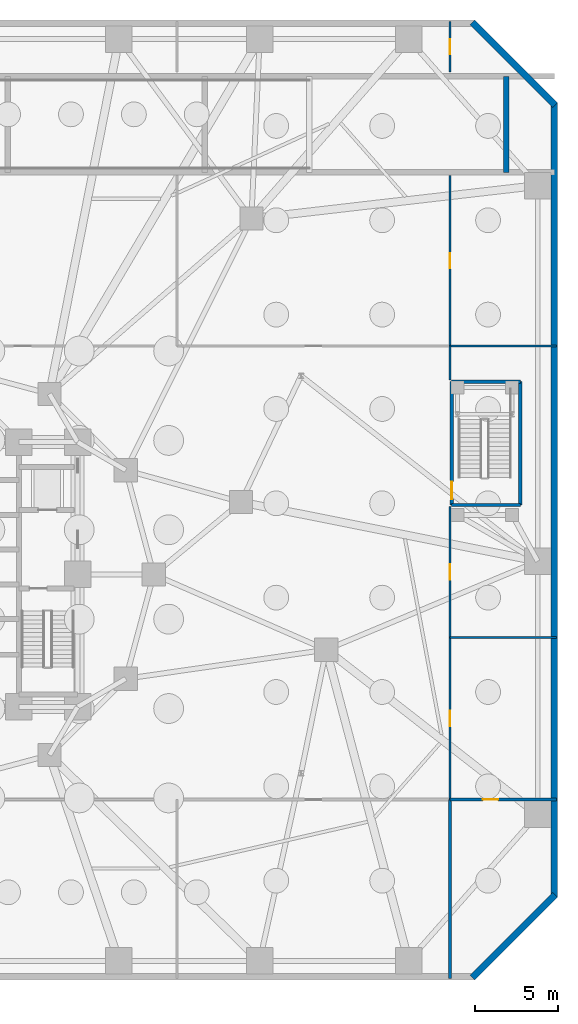
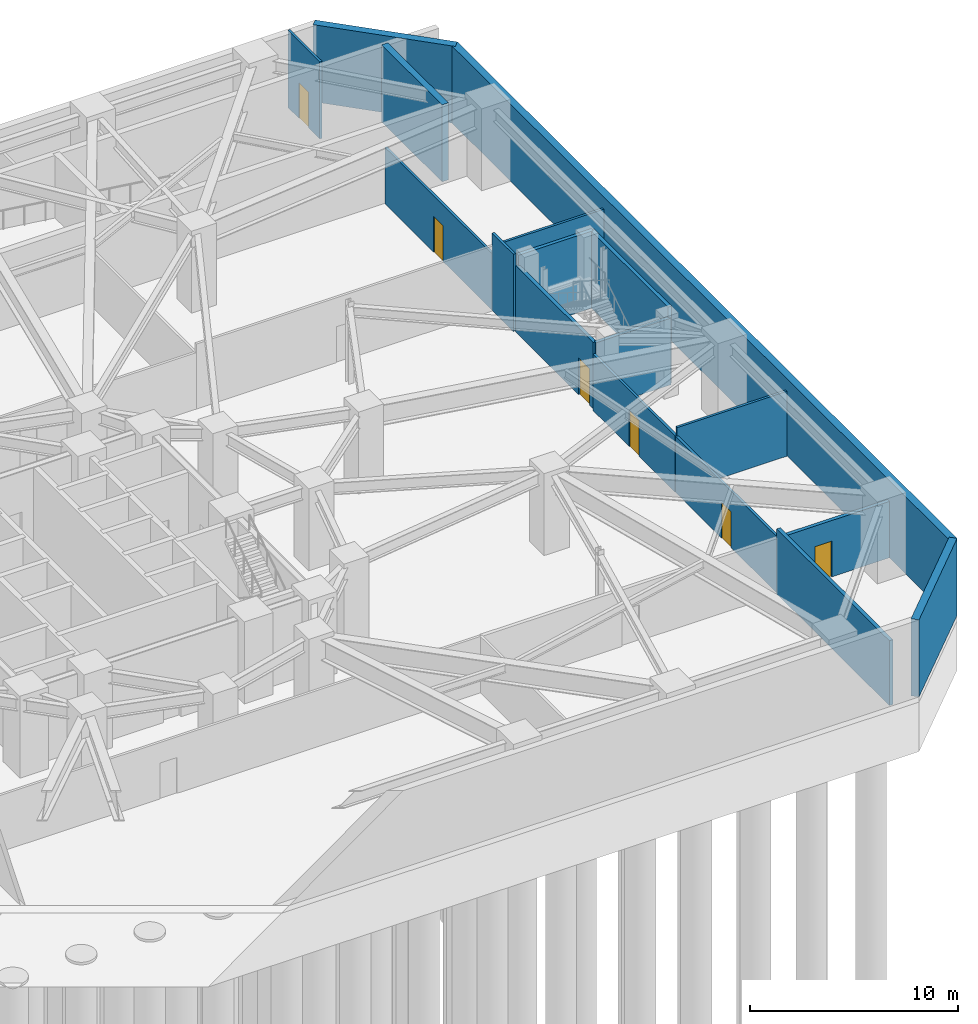
# One storey, part 15 of 20: 17 walls, 6 doors, 6 openings.
"""IFC4 building model written with IfcOpenShell, lengths in metres."""

import ifcopenshell
import ifcopenshell.guid

model = None  # the IFC model being written
_history = None  # IfcOwnerHistory: only IFC2X3 demands one
_inside = {}  # id of a spatial element -> (the spatial element, [elements in it])
_under = {}  # id of a project, library or spatial element -> (it, [spatial elements below it])
_declared = {}  # id of a project -> (the project, [libraries it declares])
_typed = {}  # id of a type object -> (the type object, [elements of that type])
_made_of = {}  # id of a material, layer set ... -> (it, [elements and type objects made of it])


def new_model(schema):
    """Start an empty IFC model of exactly this schema.

    Asked for "IFC4X3", IfcOpenShell would pick the latest addendum, in which some entities
    have other attributes; the version numbers below select the first issue.
    IFC2X3 requires an IfcOwnerHistory on every rooted entity: one is made here for all.
    """
    global model, _history
    if schema == "IFC4X3":
        model = ifcopenshell.file(schema_version=(4, 3, 0, 0))
    else:
        model = ifcopenshell.file(schema=schema)
    _inside.clear()
    _under.clear()
    _declared.clear()
    _typed.clear()
    _made_of.clear()
    _history = None
    if model.schema == "IFC2X3":
        org = make("IfcOrganization", Name="unknown")
        user = make(
            "IfcPersonAndOrganization",
            ThePerson=make("IfcPerson", FamilyName="unknown"),
            TheOrganization=org,
        )
        app = make(
            "IfcApplication",
            ApplicationDeveloper=org,
            Version="unknown",
            ApplicationFullName="unknown",
            ApplicationIdentifier="unknown",
        )
        _history = make(
            "IfcOwnerHistory",
            OwningUser=user,
            OwningApplication=app,
            ChangeAction="ADDED",
            CreationDate=0,
        )
    return model


def make(cls, **values):
    """One entity of the class cls with the attributes given. An attribute that is None is left unset."""
    return model.create_entity(
        cls, **{name: value for name, value in values.items() if value is not None}
    )


def rooted(cls, **values):
    """An entity with a GlobalId (a new one), such as an element, a storey or a relation."""
    return make(cls, GlobalId=ifcopenshell.guid.new(), OwnerHistory=_history, **values)


def si_unit(unit_type, name, prefix=None):
    """IfcSIUnit, for example si_unit("LENGTHUNIT", "METRE", prefix="MILLI")."""
    return make("IfcSIUnit", UnitType=unit_type, Prefix=prefix, Name=name)


def assignment(units):
    """IfcUnitAssignment: the units of a project."""
    return None if units is None else make("IfcUnitAssignment", Units=units)


def point(xyz):
    """IfcCartesianPoint."""
    return None if xyz is None else make("IfcCartesianPoint", Coordinates=xyz)


def direction(xyz):
    """IfcDirection."""
    return None if xyz is None else make("IfcDirection", DirectionRatios=xyz)


def frame(location, z_axis=None, x_axis=None):
    """IfcAxis2Placement3D, a coordinate frame: its origin and axes. An axis left out is left unset."""
    return make(
        "IfcAxis2Placement3D",
        Location=point(location),
        Axis=direction(z_axis),
        RefDirection=direction(x_axis),
    )


def frame_2d(location, x_axis=None):
    """IfcAxis2Placement2D, a coordinate frame in the plane: its origin and x axis."""
    return make(
        "IfcAxis2Placement2D", Location=point(location), RefDirection=direction(x_axis)
    )


def origin():
    """The frame at (0, 0, 0) with its axes left unset."""
    return frame((0.0, 0.0, 0.0))


def place(relative_to, where):
    """IfcLocalPlacement: puts the frame where relative to a parent placement (None: the world)."""
    return make(
        "IfcLocalPlacement", PlacementRelTo=relative_to, RelativePlacement=where
    )


def context(
    kind, dimensions, precision=None, world=None, true_north=None, identifier=None
):
    """IfcGeometricRepresentationContext, for example the 3D "Model" context."""
    return make(
        "IfcGeometricRepresentationContext",
        ContextIdentifier=identifier,
        ContextType=kind,
        CoordinateSpaceDimension=dimensions,
        Precision=precision,
        WorldCoordinateSystem=world,
        TrueNorth=true_north,
    )


def subcontext(parent, identifier, kind, view, scale=None):
    """IfcGeometricRepresentationSubContext, for example "Body" below "Model"."""
    return make(
        "IfcGeometricRepresentationSubContext",
        ContextIdentifier=identifier,
        ContextType=kind,
        ParentContext=parent,
        TargetScale=scale,
        TargetView=view,
    )


def project(units=None, contexts=None):
    """IfcProject with its units and contexts."""
    return rooted(
        "IfcProject",
        Name="project",
        RepresentationContexts=contexts,
        UnitsInContext=assignment(units),
    )


def spatial(cls, under=None, at=None, **own):
    """A site, building, storey or space (cls), placed at a placement, below another one or the project."""
    s = rooted(cls, ObjectPlacement=at, **own)
    if under is not None:
        _under.setdefault(under.id(), (under, []))[1].append(s)
    return s


def profile(cls, at=None, kind="AREA", **sizes):
    """A parametric profile (cls). Its sizes go by their IFC names, for example OverallWidth=200.0."""
    return make(cls, ProfileType=kind, Position=at, **sizes)


def rectangle(**sizes):
    """IfcRectangleProfileDef."""
    return profile("IfcRectangleProfileDef", **sizes)


def extrude(swept, where, along, depth):
    """IfcExtrudedAreaSolid: the profile swept, set in the frame where, extruded along a direction by depth."""
    return make(
        "IfcExtrudedAreaSolid",
        SweptArea=swept,
        Position=where,
        ExtrudedDirection=direction(along),
        Depth=depth,
    )


def shape(context_of_items, identifier, shape_type, items):
    """IfcShapeRepresentation: the items that make up one representation, for example the "Body"."""
    return make(
        "IfcShapeRepresentation",
        ContextOfItems=context_of_items,
        RepresentationIdentifier=identifier,
        RepresentationType=shape_type,
        Items=items,
    )


def material(Name=None, Category=None):
    """IfcMaterial."""
    return make("IfcMaterial", Name=Name, Category=Category)


def layer(
    of_material, thickness, ventilated=None, Name=None, Category=None, Priority=None
):
    """IfcMaterialLayer: one layer of a wall or slab, of a material (None: an air gap)."""
    return make(
        "IfcMaterialLayer",
        Material=of_material,
        LayerThickness=thickness,
        IsVentilated=ventilated,
        Name=Name,
        Category=Category,
        Priority=Priority,
    )


def layer_set(layers, Name=None):
    """IfcMaterialLayerSet."""
    return make("IfcMaterialLayerSet", MaterialLayers=layers, LayerSetName=Name)


def made_of(thing, what):
    """Note that an element or type object is made of a material, layer set ...; save() writes the relation."""
    if what is not None:
        _made_of.setdefault(what.id(), (what, []))[1].append(thing)
    return thing


def type_object(cls, material=None, **own):
    """A type object (cls), such as IfcWallType, which elements share."""
    return made_of(rooted(cls, **own), material)


def element(
    cls,
    number,
    at=None,
    inside=None,
    cuts=None,
    type_object=None,
    material=None,
    context=None,
    identifier="Body",
    shape_type=None,
    held_by="IfcProductDefinitionShape",
    body=None,
    shapes=None,
    **own,
):
    """One element of the class cls, such as IfcWall. Its Tag is "e" and its number.

    at: its placement. inside: the storey or other place that contains it. cuts: it is an
    opening in that element (IfcRelVoidsElement). A single representation is given by context,
    identifier, shape_type and body (its items); several are given by shapes. held_by: the class
    of the entity that holds the representations. save() writes the other relations.
    """
    e = rooted(cls, Tag="e%d" % number, ObjectPlacement=at, **own)
    if body is not None:
        shapes = [shape(context, identifier, shape_type, body)]
    if shapes is not None:
        e.Representation = make(held_by, Representations=shapes)
    if inside is not None:
        _inside.setdefault(inside.id(), (inside, []))[1].append(e)
    if cuts is not None:
        rooted(
            "IfcRelVoidsElement", RelatingBuildingElement=cuts, RelatedOpeningElement=e
        )
    if type_object is not None:
        _typed.setdefault(type_object.id(), (type_object, []))[1].append(e)
    return made_of(e, material)


def fill(opening, filler):
    """IfcRelFillsElement: the door or window that sits in an opening."""
    return rooted(
        "IfcRelFillsElement",
        RelatingOpeningElement=opening,
        RelatedBuildingElement=filler,
    )


def aggregate(whole, parts):
    """IfcRelAggregates: a whole, such as a stair, and the parts it consists of."""
    return rooted("IfcRelAggregates", RelatingObject=whole, RelatedObjects=parts)


def save(model, path):
    """Write the relations noted so far, then the file.

    IfcRelAggregates (storeys below a building ...), IfcRelContainedInSpatialStructure (elements
    in a storey), IfcRelDefinesByType, IfcRelAssociatesMaterial and IfcRelDeclares: one each for
    every whole, place, type object, material and project.
    """
    for whole, parts in _under.values():
        aggregate(whole, parts)
    for where, things in _inside.values():
        rooted(
            "IfcRelContainedInSpatialStructure",
            RelatedElements=things,
            RelatingStructure=where,
        )
    for kind, things in _typed.values():
        rooted("IfcRelDefinesByType", RelatedObjects=things, RelatingType=kind)
    for what, things in _made_of.values():
        rooted("IfcRelAssociatesMaterial", RelatedObjects=things, RelatingMaterial=what)
    for by, libraries in _declared.values():
        rooted("IfcRelDeclares", RelatingContext=by, RelatedDefinitions=libraries)
    model.write(path)


model = new_model("IFC4")

# Units and contexts
model_context = context("Model", 3, precision=1e-05, world=origin(), true_north=direction((0.0, 1.0)))
body_context = subcontext(model_context, "Body", "Model", "MODEL_VIEW")
ifc_project = project(units=[si_unit("LENGTHUNIT", "METRE"), si_unit("AREAUNIT", "SQUARE_METRE"), si_unit("VOLUMEUNIT", "CUBIC_METRE"), si_unit("PLANEANGLEUNIT", "RADIAN"), si_unit("MASSUNIT", "GRAM", prefix="KILO")], contexts=[model_context])

# Site, building, storey
site_placement = place(None, origin())
site = spatial("IfcSite", under=ifc_project, at=site_placement, CompositionType="ELEMENT")
building_placement = place(site_placement, origin())
building = spatial("IfcBuilding", under=site, at=building_placement, Name="Terralouvre Media Tower", CompositionType="ELEMENT")
storey_placement = place(building_placement, frame((0.0, 0.0, -9.60009765625)))
storey = spatial("IfcBuildingStorey", under=building, at=storey_placement, Name="B02", CompositionType="ELEMENT", Elevation=-9.60009765625)

# Walls
ifc_material_1 = material(Name="Concrete C50/60", Category="concrete")
ifc_layer_1 = layer(ifc_material_1, 0.39990234375, Name="Basement Perimeter Retaining Wall EW-RC400")
ifc_layer_set_1 = layer_set([ifc_layer_1], Name="Concrete C50/60")
wall_type_1 = type_object("IfcWallType", Name="Basement Perimeter Retaining Wall EW-RC400", PredefinedType="USERDEFINED", material=ifc_layer_set_1)
wall_1_placement = place(storey_placement, frame((31.858642578125, -24.358642578125, 0.0), z_axis=(0.0, 0.0, 1.0), x_axis=(0.707106781187, 0.707106781187, 0.0)))
element("IfcWall", 1, at=wall_1_placement, inside=storey, type_object=wall_type_1, Name="B02 Perimeter Retaining Wall 02", ObjectType="RETAINING", PredefinedType="USERDEFINED", context=body_context, shape_type="SweptSolid", body=[
    extrude(rectangle(XDim=7.071044921875, YDim=0.39990234375, at=frame_2d((3.53564453125, 0.0))), origin(), (0.0, 0.0, 1.0), 4.52001953125),
])
wall_2_placement = place(storey_placement, frame((36.800048828125, -19.5, 0.0), z_axis=(0.0, 0.0, 1.0), x_axis=(0.0, 1.0, 0.0)))
element("IfcWall", 2, at=wall_2_placement, inside=storey, type_object=wall_type_1, Name="B02 Perimeter Retaining Wall 03", ObjectType="RETAINING", PredefinedType="USERDEFINED", context=body_context, shape_type="SweptSolid", body=[
    extrude(rectangle(XDim=48.0, YDim=0.39990234375, at=frame_2d((24.0, 0.0))), origin(), (0.0, 0.0, 1.0), 4.52001953125),
])
wall_3_placement = place(storey_placement, frame((36.858642578125, 28.358642578125, 0.0), z_axis=(0.0, 0.0, 1.0), x_axis=(-0.707106781187, 0.707106781187, 0.0)))
element("IfcWall", 3, at=wall_3_placement, inside=storey, type_object=wall_type_1, Name="B02 Perimeter Retaining Wall 04", ObjectType="RETAINING", PredefinedType="USERDEFINED", context=body_context, shape_type="SweptSolid", body=[
    extrude(rectangle(XDim=7.071044921875, YDim=0.39990234375, at=frame_2d((3.53564453125, 0.0))), origin(), (0.0, 0.0, 1.0), 4.52001953125),
])
ifc_material_2 = material(Name="Fire-rated gypsum board drywall partition")
ifc_layer_2 = layer(ifc_material_2, 0.199951171875, Name="Fire-Rated Shaft and Lobby Partition FW-200")
ifc_layer_set_2 = layer_set([ifc_layer_2], Name="Fire-rated gypsum board drywall partition")
wall_type_2 = type_object("IfcWallType", Name="Fire-Rated Shaft and Lobby Partition FW-200", PredefinedType="SOLIDWALL", material=ifc_layer_set_2)
wall_4_placement = place(storey_placement, frame((30.60009765625, 4.199951171875, 0.0), z_axis=(0.0, 0.0, 1.0), x_axis=(1.0, 0.0, 0.0)))
element("IfcWall", 4, at=wall_4_placement, inside=storey, type_object=wall_type_2, Name="B02 ST04 Stair Shaft Wall S", PredefinedType="SOLIDWALL", context=body_context, shape_type="SweptSolid", body=[
    extrude(rectangle(XDim=4.14990234375, YDim=0.199951171875, at=frame_2d((2.074951171875, 0.0))), origin(), (0.0, 0.0, 1.0), 3.905029296875),
])
wall_5_placement = place(storey_placement, frame((34.75, 4.199951171875, 0.0), z_axis=(0.0, 0.0, 1.0), x_axis=(0.0, 1.0, 0.0)))
element("IfcWall", 5, at=wall_5_placement, inside=storey, type_object=wall_type_2, Name="B02 ST04 Stair Shaft Wall E", PredefinedType="SOLIDWALL", context=body_context, shape_type="SweptSolid", body=[
    extrude(rectangle(XDim=7.449951171875, YDim=0.199951171875, at=frame_2d((3.72509765625, 0.0))), origin(), (0.0, 0.0, 1.0), 4.52001953125),
])
wall_6_placement = place(storey_placement, frame((34.75, 11.64990234375, 0.0), z_axis=(0.0, 0.0, 1.0), x_axis=(-1.0, 0.0, 0.0)))
element("IfcWall", 6, at=wall_6_placement, inside=storey, type_object=wall_type_2, Name="B02 ST04 Stair Shaft Wall N", PredefinedType="SOLIDWALL", context=body_context, shape_type="SweptSolid", body=[
    extrude(rectangle(XDim=4.14990234375, YDim=0.199951171875, at=frame_2d((2.074951171875, 0.0))), origin(), (0.0, 0.0, 1.0), 4.52001953125),
])

# Wall, opening, door
wall_7_placement = place(storey_placement, frame((30.60009765625, 11.64990234375, 0.0), z_axis=(0.0, 0.0, 1.0), x_axis=(0.0, -1.0, 0.0)))
wall_7 = element("IfcWall", 7, at=wall_7_placement, inside=storey, type_object=wall_type_2, Name="B02 ST04 Stair Shaft Wall W", PredefinedType="SOLIDWALL", context=body_context, shape_type="SweptSolid", body=[
    extrude(rectangle(XDim=7.449951171875, YDim=0.199951171875, at=frame_2d((3.72509765625, 0.0))), origin(), (0.0, 0.0, 1.0), 3.905029296875),
])
opening_1_placement = place(wall_7_placement, frame((6.0400390625, 0.0, 0.0)))
opening_1 = element("IfcOpeningElement", 8, at=opening_1_placement, cuts=wall_7, Name="Opening FD-01-105X215", PredefinedType="OPENING", context=body_context, shape_type="SweptSolid", body=[
    extrude(rectangle(XDim=1.050048828125, YDim=2.14990234375, at=frame_2d((0.52490234375, 1.074951171875))), frame((0.0, 0.10986328125, 0.0), z_axis=(0.0, -1.0, 0.0), x_axis=(1.0, 0.0, 0.0)), (0.0, 0.0, 1.0), 0.219970703125),
])
ifc_material_3 = material(Name="Galvanised steel fire-resisting leaf", Category="steel")
door_type_1 = type_object("IfcDoorType", Name="Stair and Firefighting Lobby Fire Door FD-01 (1050x2150)", OperationType="NOTDEFINED", PredefinedType="DOOR", material=ifc_material_3)
door_1_placement = place(opening_1_placement, origin())
door_1 = element("IfcDoor", 9, at=door_1_placement, inside=storey, type_object=door_type_1, Name="B02 ST04 Pressurised Stair Door", OperationType="SINGLE_SWING_LEFT", OverallHeight=2.14990234375, OverallWidth=1.050048828125, PredefinedType="DOOR", context=body_context, shape_type="SweptSolid", body=[
    extrude(rectangle(XDim=1.050048828125, YDim=2.14990234375, at=frame_2d((0.52490234375, 1.074951171875))), frame((0.0, 0.02490234375, 0.0), z_axis=(0.0, -1.0, 0.0), x_axis=(1.0, 0.0, 0.0)), (0.0, 0.0, 1.0), 0.050048828125),
])
fill(opening_1, door_1)

# Wall
wall_8_placement = place(storey_placement, frame((30.5, -24.419921875, 0.0), z_axis=(0.0, 0.0, 1.0), x_axis=(0.0, 1.0, 0.0)))
element("IfcWall", 10, at=wall_8_placement, inside=storey, type_object=wall_type_2, Name="B02 Interior Partition 019", PredefinedType="SOLIDWALL", context=body_context, shape_type="SweptSolid", body=[
    extrude(rectangle(XDim=10.81982421875, YDim=0.199951171875, at=frame_2d((5.409912109375, 0.0))), origin(), (0.0, 0.0, 1.0), 3.80517578125),
])

# Wall, opening, door
wall_9_placement = place(storey_placement, frame((36.919921875, -13.60009765625, 0.0), z_axis=(0.0, 0.0, 1.0), x_axis=(-1.0, 0.0, 0.0)))
wall_9 = element("IfcWall", 11, at=wall_9_placement, inside=storey, type_object=wall_type_2, Name="B02 Interior Partition 020", PredefinedType="SOLIDWALL", context=body_context, shape_type="SweptSolid", body=[
    extrude(rectangle(XDim=6.419921875, YDim=0.199951171875, at=frame_2d((3.2099609375, 0.0))), origin(), (0.0, 0.0, 1.0), 3.30517578125),
])
opening_2_placement = place(wall_9_placement, frame((3.5205078125, 0.0, 0.0)))
opening_2 = element("IfcOpeningElement", 12, at=opening_2_placement, cuts=wall_9, Name="Opening FD-05-92X210", PredefinedType="OPENING", context=body_context, shape_type="SweptSolid", body=[
    extrude(rectangle(XDim=0.919921875, YDim=2.10009765625, at=frame_2d((0.4599609375, 1.050048828125))), frame((0.0, 0.10986328125, 0.0), z_axis=(0.0, -1.0, 0.0), x_axis=(1.0, 0.0, 0.0)), (0.0, 0.0, 1.0), 0.219970703125),
])
ifc_material_4 = material(Name="Galvanised steel fire-resisting leaf", Category="steel")
door_type_2 = type_object("IfcDoorType", Name="Core Accessible Closet Fire Door FD-05 (920x2100)", OperationType="NOTDEFINED", PredefinedType="DOOR", material=ifc_material_4)
door_2_placement = place(opening_2_placement, origin())
door_2 = element("IfcDoor", 13, at=door_2_placement, inside=storey, type_object=door_type_2, Name="B02 B02 Domestic Water and Fire Pump Plant Room Door", OperationType="SINGLE_SWING_RIGHT", OverallHeight=2.10009765625, OverallWidth=0.919921875, PredefinedType="DOOR", context=body_context, shape_type="SweptSolid", body=[
    extrude(rectangle(XDim=0.919921875, YDim=2.10009765625, at=frame_2d((0.4599609375, 1.050048828125))), frame((0.0, 0.02490234375, 0.0), z_axis=(0.0, -1.0, 0.0), x_axis=(1.0, 0.0, 0.0)), (0.0, 0.0, 1.0), 0.050048828125),
])
fill(opening_2, door_2)

ifc_material_5 = material(Name="Fire-rated gypsum board drywall partition")
ifc_layer_3 = layer(ifc_material_5, 0.135009765625, Name="Newsroom Acoustic Partition PT-135")
ifc_layer_set_3 = layer_set([ifc_layer_3], Name="Fire-rated gypsum board drywall partition")
wall_type_3 = type_object("IfcWallType", Name="Newsroom Acoustic Partition PT-135", PredefinedType="PARTITIONING", material=ifc_layer_set_3)
wall_10_placement = place(storey_placement, frame((30.5, -13.60009765625, 0.0), z_axis=(0.0, 0.0, 1.0), x_axis=(0.0, 1.0, 0.0)))
wall_10 = element("IfcWall", 14, at=wall_10_placement, inside=storey, type_object=wall_type_3, Name="B02 Interior Partition 005", PredefinedType="PARTITIONING", context=body_context, shape_type="SweptSolid", body=[
    extrude(rectangle(XDim=9.800048828125, YDim=0.135009765625, at=frame_2d((4.89990234375, 0.0))), origin(), (0.0, 0.0, 1.0), 3.30517578125),
])
opening_3_placement = place(wall_10_placement, frame((4.425048828125, 0.0, 0.0)))
opening_3 = element("IfcOpeningElement", 15, at=opening_3_placement, cuts=wall_10, Name="Opening ID-02-95X210", PredefinedType="OPENING", context=body_context, shape_type="SweptSolid", body=[
    extrude(rectangle(XDim=0.949951171875, YDim=2.10009765625, at=frame_2d((0.47509765625, 1.050048828125))), frame((0.0, 0.077392578125, 0.0), z_axis=(0.0, -1.0, 0.0), x_axis=(1.0, 0.0, 0.0)), (0.0, 0.0, 1.0), 0.155029296875),
])
ifc_material_6 = material(Name="Engineered hardwood acoustic timber leaf", Category="wood")
door_type_3 = type_object("IfcDoorType", Name="Office and Meeting Room Door ID-02 (950x2100)", OperationType="NOTDEFINED", PredefinedType="DOOR", material=ifc_material_6)
door_3_placement = place(opening_3_placement, origin())
door_3 = element("IfcDoor", 16, at=door_3_placement, inside=storey, type_object=door_type_3, Name="B02 B02 Basement Technical Equipment Store 7 Door", OperationType="SINGLE_SWING_RIGHT", OverallHeight=2.10009765625, OverallWidth=0.949951171875, PredefinedType="DOOR", context=body_context, shape_type="SweptSolid", body=[
    extrude(rectangle(XDim=0.949951171875, YDim=2.10009765625, at=frame_2d((0.47509765625, 1.050048828125))), frame((0.0, 0.02490234375, 0.0), z_axis=(0.0, -1.0, 0.0), x_axis=(1.0, 0.0, 0.0)), (0.0, 0.0, 1.0), 0.050048828125),
])
fill(opening_3, door_3)

wall_11_placement = place(storey_placement, frame((30.5, -3.800048828125, 0.0), z_axis=(0.0, 0.0, 1.0), x_axis=(0.0, 1.0, 0.0)))
wall_11 = element("IfcWall", 17, at=wall_11_placement, inside=storey, type_object=wall_type_3, Name="B02 Interior Partition 006", PredefinedType="PARTITIONING", context=body_context, shape_type="SweptSolid", body=[
    extrude(rectangle(XDim=7.900146484375, YDim=0.135009765625, at=frame_2d((3.9501953125, 0.0))), origin(), (0.0, 0.0, 1.0), 3.30517578125),
])
opening_4_placement = place(wall_11_placement, frame((3.47509765625, 0.0, 0.0)))
opening_4 = element("IfcOpeningElement", 18, at=opening_4_placement, cuts=wall_11, Name="Opening ID-02-95X210", PredefinedType="OPENING", context=body_context, shape_type="SweptSolid", body=[
    extrude(rectangle(XDim=0.949951171875, YDim=2.10009765625, at=frame_2d((0.47509765625, 1.050048828125))), frame((0.0, 0.077392578125, 0.0), z_axis=(0.0, -1.0, 0.0), x_axis=(1.0, 0.0, 0.0)), (0.0, 0.0, 1.0), 0.155029296875),
])
door_4_placement = place(opening_4_placement, origin())
door_4 = element("IfcDoor", 19, at=door_4_placement, inside=storey, type_object=door_type_3, Name="B02 B02 Basement Technical Equipment Store 8 Door", OperationType="SINGLE_SWING_LEFT", OverallHeight=2.10009765625, OverallWidth=0.949951171875, PredefinedType="DOOR", context=body_context, shape_type="SweptSolid", body=[
    extrude(rectangle(XDim=0.949951171875, YDim=2.10009765625, at=frame_2d((0.47509765625, 1.050048828125))), frame((0.0, 0.02490234375, 0.0), z_axis=(0.0, -1.0, 0.0), x_axis=(1.0, 0.0, 0.0)), (0.0, 0.0, 1.0), 0.050048828125),
])
fill(opening_4, door_4)

# Walls
wall_12_placement = place(storey_placement, frame((30.5, 11.75, 0.0), z_axis=(0.0, 0.0, 1.0), x_axis=(0.0, 1.0, 0.0)))
element("IfcWall", 20, at=wall_12_placement, inside=storey, type_object=wall_type_3, Name="B02 Interior Partition 007", PredefinedType="PARTITIONING", context=body_context, shape_type="SweptSolid", body=[
    extrude(rectangle(XDim=2.050048828125, YDim=0.135009765625, at=frame_2d((1.02490234375, 0.0))), origin(), (0.0, 0.0, 1.0), 4.52001953125),
])
for number, where, z_axis, x_axis, name in (
    (21, (36.919921875, -3.800048828125, 0.0), (0.0, 0.0, 1.0), (-1.0, 0.0, 0.0), "B02 Interior Partition 021"),
    (22, (36.919921875, 13.800048828125, 0.0), (0.0, 0.0, 1.0), (-1.0, 0.0, 0.0), "B02 Interior Partition 022"),
):
    element("IfcWall", number, at=place(storey_placement, frame(where, z_axis=z_axis, x_axis=x_axis)), inside=storey, type_object=wall_type_3, Name=name, PredefinedType="PARTITIONING", context=body_context, shape_type="SweptSolid", body=[
        extrude(rectangle(XDim=6.419921875, YDim=0.135009765625, at=frame_2d((3.2099609375, 0.0))), origin(), (0.0, 0.0, 1.0), 3.80517578125),
    ])

# Wall, opening, door
wall_13_placement = place(storey_placement, frame((30.5, 24.10009765625, 0.0), z_axis=(0.0, 0.0, 1.0), x_axis=(0.0, -1.0, 0.0)))
wall_13 = element("IfcWall", 23, at=wall_13_placement, inside=storey, type_object=wall_type_3, Name="B02 Interior Partition 023", PredefinedType="PARTITIONING", context=body_context, shape_type="SweptSolid", body=[
    extrude(rectangle(XDim=10.300048828125, YDim=0.135009765625, at=frame_2d((5.14990234375, 0.0))), origin(), (0.0, 0.0, 1.0), 3.30517578125),
])
opening_5_placement = place(wall_13_placement, frame((4.68994140625, 0.0, 0.0)))
opening_5 = element("IfcOpeningElement", 24, at=opening_5_placement, cuts=wall_13, Name="Opening ID-03-92X210", PredefinedType="OPENING", context=body_context, shape_type="SweptSolid", body=[
    extrude(rectangle(XDim=0.919921875, YDim=2.10009765625, at=frame_2d((0.4599609375, 1.050048828125))), frame((0.0, 0.077392578125, 0.0), z_axis=(0.0, -1.0, 0.0), x_axis=(1.0, 0.0, 0.0)), (0.0, 0.0, 1.0), 0.155029296875),
])
ifc_material_7 = material(Name="Engineered hardwood acoustic timber leaf", Category="wood")
door_type_4 = type_object("IfcDoorType", Name="Accessible Restroom and Suite Door ID-03 (920x2100)", OperationType="NOTDEFINED", PredefinedType="DOOR", material=ifc_material_7)
door_5_placement = place(opening_5_placement, origin())
door_5 = element("IfcDoor", 25, at=door_5_placement, inside=storey, type_object=door_type_4, Name="B02 B02 Segregated Refuse and Recycling Store Door", OperationType="SINGLE_SWING_LEFT", OverallHeight=2.10009765625, OverallWidth=0.919921875, PredefinedType="DOOR", context=body_context, shape_type="SweptSolid", body=[
    extrude(rectangle(XDim=0.919921875, YDim=2.10009765625, at=frame_2d((0.4599609375, 1.050048828125))), frame((0.0, 0.02490234375, 0.0), z_axis=(0.0, -1.0, 0.0), x_axis=(1.0, 0.0, 0.0)), (0.0, 0.0, 1.0), 0.050048828125),
])
fill(opening_5, door_5)

wall_14_placement = place(storey_placement, frame((30.5, 33.419921875, 0.0), z_axis=(0.0, 0.0, 1.0), x_axis=(0.0, -1.0, 0.0)))
wall_14 = element("IfcWall", 26, at=wall_14_placement, inside=storey, type_object=wall_type_3, Name="B02 Interior Partition 024", PredefinedType="PARTITIONING", context=body_context, shape_type="SweptSolid", body=[
    extrude(rectangle(XDim=3.06982421875, YDim=0.135009765625, at=frame_2d((1.534912109375, 0.0))), origin(), (0.0, 0.0, 1.0), 4.52001953125),
])
opening_6_placement = place(wall_14_placement, frame((1.074951171875, 0.0, 0.0)))
opening_6 = element("IfcOpeningElement", 27, at=opening_6_placement, cuts=wall_14, Name="Opening ID-03-92X210", PredefinedType="OPENING", context=body_context, shape_type="SweptSolid", body=[
    extrude(rectangle(XDim=0.919921875, YDim=2.10009765625, at=frame_2d((0.4599609375, 1.050048828125))), frame((0.0, 0.077392578125, 0.0), z_axis=(0.0, -1.0, 0.0), x_axis=(1.0, 0.0, 0.0)), (0.0, 0.0, 1.0), 0.155029296875),
])
door_6_placement = place(opening_6_placement, origin())
door_6 = element("IfcDoor", 28, at=door_6_placement, inside=storey, type_object=door_type_4, Name="B02 B02 Segregated Refuse and Recycling Store Door", OperationType="SINGLE_SWING_RIGHT", OverallHeight=2.10009765625, OverallWidth=0.919921875, PredefinedType="DOOR", context=body_context, shape_type="SweptSolid", body=[
    extrude(rectangle(XDim=0.919921875, YDim=2.10009765625, at=frame_2d((0.4599609375, 1.050048828125))), frame((0.0, 0.02490234375, 0.0), z_axis=(0.0, -1.0, 0.0), x_axis=(1.0, 0.0, 0.0)), (0.0, 0.0, 1.0), 0.050048828125),
])
fill(opening_6, door_6)

# Wall
ifc_material_8 = material(Name="Concrete C50/60", Category="concrete")
ifc_layer_4 = layer(ifc_material_8, 0.35009765625, Name="Ramp Support Shear Wall RW-350")
ifc_layer_set_4 = layer_set([ifc_layer_4], Name="Concrete C50/60")
wall_type_4 = type_object("IfcWallType", Name="Ramp Support Shear Wall RW-350", PredefinedType="SHEAR", material=ifc_layer_set_4)
wall_15_placement = place(storey_placement, frame((33.89990234375, 24.300048828125, 0.0), z_axis=(0.0, 0.0, 1.0), x_axis=(0.0, 1.0, 0.0)))
element("IfcWall", 29, at=wall_15_placement, inside=storey, type_object=wall_type_4, Name="B02 Ramp Exit Apron Foundation Wall", PredefinedType="SHEAR", context=body_context, shape_type="SweptSolid", body=[
    extrude(rectangle(XDim=5.800048828125, YDim=0.35009765625, at=frame_2d((2.89990234375, 0.0))), origin(), (0.0, 0.0, 1.0), 4.52001953125),
])

save(model, "model.ifc")
